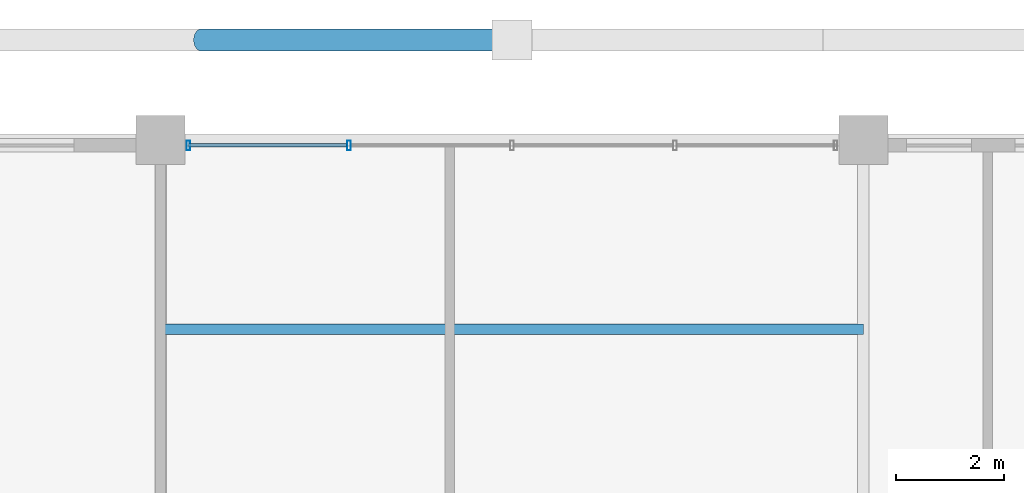
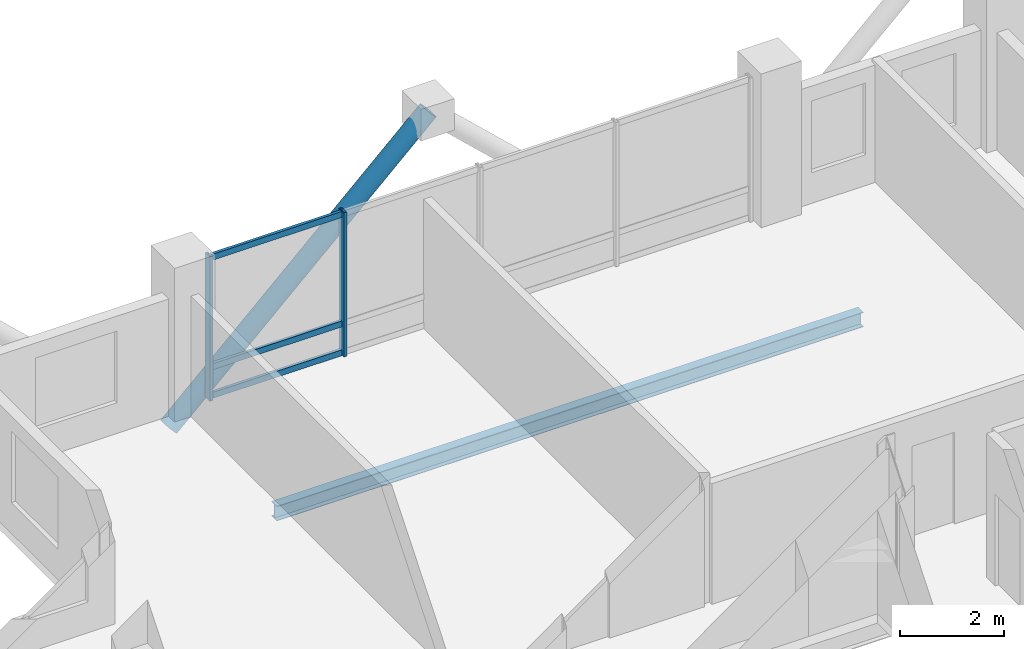
# One storey, part 14 of 23: 6 members, 1 beam, 1 element without a shape of its own.
"""IFC4 building model written with IfcOpenShell, lengths in metres."""

from ifc_helpers import new_model, si_unit, direction, frame, origin, origin_2d, place, context, subcontext, project, spatial, hollow_rectangle, hollow_circle, i_section, extrude, material, layer, layer_set, material_profile, profile_set, type_object, element, aggregate, save


model = new_model("IFC4")

# Units and contexts
model_context = context("Model", 3, precision=1e-05, world=origin(), true_north=direction((0.0, 1.0)))
body_context = subcontext(model_context, "Body", "Model", "MODEL_VIEW")
ifc_project = project(units=[si_unit("LENGTHUNIT", "METRE"), si_unit("AREAUNIT", "SQUARE_METRE"), si_unit("VOLUMEUNIT", "CUBIC_METRE"), si_unit("PLANEANGLEUNIT", "RADIAN"), si_unit("MASSUNIT", "GRAM", prefix="KILO")], contexts=[model_context])

# Site, building, storey
site_placement = place(None, origin())
site = spatial("IfcSite", under=ifc_project, at=site_placement, CompositionType="ELEMENT")
building_placement = place(site_placement, origin())
building = spatial("IfcBuilding", under=site, at=building_placement, Name="Barlavira Tower and Art Museum", CompositionType="ELEMENT")
storey_placement = place(building_placement, frame((0.0, 0.0, 290.699951171875)))
storey = spatial("IfcBuildingStorey", under=building, at=storey_placement, Name="L76", CompositionType="ELEMENT", Elevation=290.699951171875)

# Curtain wall, members
ifc_material_1 = material(Name="Low-iron coastal laminated glass", Category="glass")
ifc_layer = layer(ifc_material_1, 0.2099609375, Name="Low-iron coastal laminated glass")
ifc_layer_set = layer_set([ifc_layer], Name="Low-iron coastal laminated glass")
curtain_wall_type = type_object("IfcCurtainWallType", Name="Pale-Metal Unitised Curtain Wall Zone 4", PredefinedType="NOTDEFINED", material=ifc_layer_set)
curtain_wall_placement = place(storey_placement, origin())
curtain_wall = element("IfcCurtainWall", 1, at=curtain_wall_placement, inside=storey, type_object=curtain_wall_type, Name="L76 Curtain Wall CW4-L76-N-B2", PredefinedType="NOTDEFINED")
ifc_material_2 = material(Name="Pale anodised aluminium", Category="aluminium")
ifc_material_profile_1 = material_profile(ifc_material_2, hollow_rectangle(XDim=0.06494140625, YDim=0.179931640625, WallThickness=0.00390625, at=origin_2d()), Name="ALU-MULL 65x180x4")
ifc_profile_set_1 = profile_set([ifc_material_profile_1], Name="Pale anodised aluminium")
member_type_1 = type_object("IfcMemberType", Name="Curtain Wall Pale-Metal Mullion 65x180", PredefinedType="MULLION", material=ifc_profile_set_1)
member_1_placement = place(storey_placement, frame((-3.014892578125, 19.89990234375, 0.0), z_axis=(0.0, 0.0, 1.0), x_axis=(-1.0, 0.0, 0.0)))
member_1 = element("IfcMember", 2, at=member_1_placement, type_object=member_type_1, Name="CW4-L76-N-B2 Mullion 3", PredefinedType="MULLION", context=body_context, shape_type="SweptSolid", body=[
    extrude(hollow_rectangle(XDim=0.06494140625, YDim=0.179931640625, WallThickness=0.00390625, at=origin_2d()), origin(), (0.0, 0.0, 1.0), 3.380126953125),
])
member_2_placement = place(storey_placement, frame((-5.985107421875, 19.89990234375, 0.0), z_axis=(0.0, 0.0, 1.0), x_axis=(-1.0, 0.0, 0.0)))
member_2 = element("IfcMember", 3, at=member_2_placement, type_object=member_type_1, Name="CW4-L76-N-B2 Mullion 4", PredefinedType="MULLION", context=body_context, shape_type="SweptSolid", body=[
    extrude(hollow_rectangle(XDim=0.06494140625, YDim=0.179931640625, WallThickness=0.00390625, at=origin_2d()), origin(), (0.0, 0.0, 1.0), 3.380126953125),
])
ifc_material_profile_2 = material_profile(ifc_material_2, hollow_rectangle(XDim=0.06494140625, YDim=0.139892578125, WallThickness=0.00390625, at=origin_2d()), Name="ALU-TRAN 65x140x4")
ifc_profile_set_2 = profile_set([ifc_material_profile_2], Name="Pale anodised aluminium")
member_type_2 = type_object("IfcMemberType", Name="Curtain Wall Pale-Metal Transom 65x140", PredefinedType="USERDEFINED", material=ifc_profile_set_2)
member_3_placement = place(storey_placement, frame((-3.06005859375, 19.89990234375, 0.070068359375), z_axis=(-1.0, 0.0, 0.0), x_axis=(0.0, -1.0, 0.0)))
member_3 = element("IfcMember", 4, at=member_3_placement, type_object=member_type_2, Name="CW4-L76-N-B2 Transom 3.1", ObjectType="TRANSOM", PredefinedType="USERDEFINED", context=body_context, shape_type="SweptSolid", body=[
    extrude(hollow_rectangle(XDim=0.06494140625, YDim=0.139892578125, WallThickness=0.00390625, at=origin_2d()), origin(), (0.0, 0.0, 1.0), 2.925048828125),
])
member_4_placement = place(storey_placement, frame((-3.06005859375, 19.89990234375, 0.744140625), z_axis=(-1.0, 0.0, 0.0), x_axis=(0.0, -1.0, 0.0)))
member_4 = element("IfcMember", 5, at=member_4_placement, type_object=member_type_2, Name="CW4-L76-N-B2 Transom 3.2", ObjectType="TRANSOM", PredefinedType="USERDEFINED", context=body_context, shape_type="SweptSolid", body=[
    extrude(hollow_rectangle(XDim=0.06494140625, YDim=0.139892578125, WallThickness=0.00390625, at=origin_2d()), origin(), (0.0, 0.0, 1.0), 2.925048828125),
])
member_5_placement = place(storey_placement, frame((-3.06005859375, 19.89990234375, 3.31005859375), z_axis=(-1.0, 0.0, 0.0), x_axis=(0.0, -1.0, 0.0)))
member_5 = element("IfcMember", 6, at=member_5_placement, type_object=member_type_2, Name="CW4-L76-N-B2 Transom 3.3", ObjectType="TRANSOM", PredefinedType="USERDEFINED", context=body_context, shape_type="SweptSolid", body=[
    extrude(hollow_rectangle(XDim=0.06494140625, YDim=0.139892578125, WallThickness=0.00390625, at=origin_2d()), origin(), (0.0, 0.0, 1.0), 2.925048828125),
])
aggregate(curtain_wall, [member_1, member_2, member_3, member_4, member_5])

# Member
ifc_material_3 = material(Name="Steel S355", Category="steel")
ifc_material_profile_3 = material_profile(ifc_material_3, hollow_circle(Radius=0.203125, WallThickness=0.01611328125, at=origin_2d()), Name="CHS 406.4x16.0")
ifc_profile_set_3 = profile_set([ifc_material_profile_3], Name="Steel S355")
member_type_3 = type_object("IfcMemberType", Name="Pale-Metal Exoskeleton Diagrid Tube CHS 406x16 Steel S355", PredefinedType="BRACE", material=ifc_profile_set_3)
member_6_placement = place(storey_placement, frame((-5.75, 21.85009765625, -1.919921875), z_axis=(0.728950095515, 0.0, 0.684566839869), x_axis=(0.0, 1.0, 0.0)))
element("IfcMember", 7, at=member_6_placement, inside=storey, type_object=member_type_3, Name="L76 Exoskeleton Diagrid Tube N", PredefinedType="BRACE", context=body_context, shape_type="SweptSolid", body=[
    extrude(hollow_circle(Radius=0.203125, WallThickness=0.01611328125, at=origin_2d()), origin(), (0.0, 0.0, 1.0), 7.887939453125),
])

# Beam
ifc_material_profile_4 = material_profile(ifc_material_3, i_section(OverallWidth=0.202880859375, OverallDepth=0.346923828125, WebThickness=0.0078125, FlangeThickness=0.013427734375, at=origin_2d()), Name="W360x64.0")
ifc_profile_set_4 = profile_set([ifc_material_profile_4], Name="Steel S355")
beam_type = type_object("IfcBeamType", Name="Zone 4 Composite Floor Joist W360x64 Steel S355", PredefinedType="JOIST", material=ifc_profile_set_4)
beam_placement = place(storey_placement, frame((-6.5, 16.5, -0.3935546875), z_axis=(1.0, 0.0, 0.0), x_axis=(0.0, 1.0, 0.0)))
element("IfcBeam", 8, at=beam_placement, inside=storey, type_object=beam_type, Name="L76 Joist C2", PredefinedType="JOIST", context=body_context, shape_type="SweptSolid", body=[
    extrude(i_section(OverallWidth=0.202880859375, OverallDepth=0.346923828125, WebThickness=0.0078125, FlangeThickness=0.013427734375, at=origin_2d()), origin(), (0.0, 0.0, 1.0), 13.0),
])

save(model, "model.ifc")
